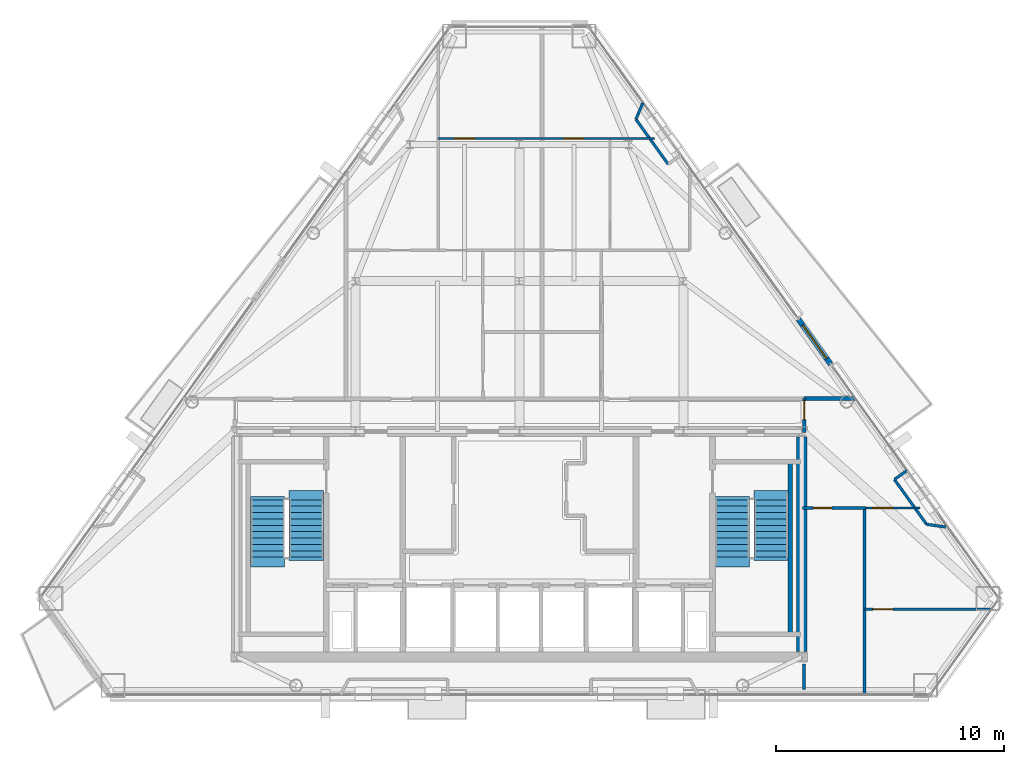
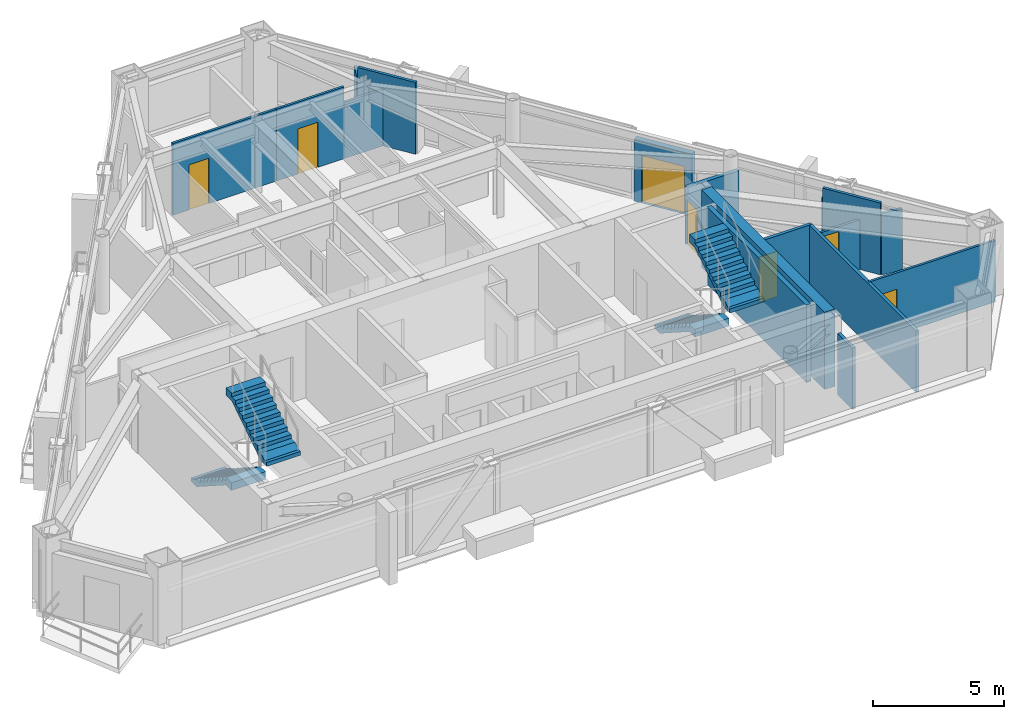
# One storey, part 9 of 11: 18 walls, 7 doors, 4 stair flights, 7 openings, 2 elements without a shape of their own.
"""IFC4 building model written with IfcOpenShell, lengths in metres."""

from ifc_helpers import new_model, si_unit, direction, frame, frame_2d, origin, place, context, subcontext, project, spatial, polyline, rectangle, outline, extrude, material, layer, layer_set, type_object, element, fill, aggregate, save


model = new_model("IFC4")

# Units and contexts
model_context = context("Model", 3, precision=1e-05, world=origin(), true_north=direction((0.0, 1.0)))
body_context = subcontext(model_context, "Body", "Model", "MODEL_VIEW")
ifc_project = project(units=[si_unit("LENGTHUNIT", "METRE"), si_unit("AREAUNIT", "SQUARE_METRE"), si_unit("VOLUMEUNIT", "CUBIC_METRE"), si_unit("PLANEANGLEUNIT", "RADIAN"), si_unit("MASSUNIT", "GRAM", prefix="KILO")], contexts=[model_context])

# Site, building, storey
site_placement = place(None, origin())
site = spatial("IfcSite", under=ifc_project, at=site_placement, CompositionType="ELEMENT")
building_placement = place(site_placement, origin())
building = spatial("IfcBuilding", under=site, at=building_placement, Name="Talgorran Terracotta Tower", CompositionType="ELEMENT")
storey_placement = place(building_placement, frame((0.0, 0.0, 218.10009765625)))
storey = spatial("IfcBuildingStorey", under=building, at=storey_placement, Name="L57", CompositionType="ELEMENT", Elevation=218.10009765625)

# Wall, opening, door
ifc_material_1 = material(Name="Concrete C40/50", Category="concrete")
ifc_layer_1 = layer(ifc_material_1, 0.239990234375, Name="WT_BALCONY_SPAND")
ifc_layer_set_1 = layer_set([ifc_layer_1], Name="Concrete C40/50")
wall_type_1 = type_object("IfcWallType", Name="WT_BALCONY_SPAND", PredefinedType="STANDARD", material=ifc_layer_set_1)
wall_1_placement = place(storey_placement, frame((13.675048828125, -1.251953125, -0.01513671875), z_axis=(0.0, 0.0, 1.0), x_axis=(-0.583139062732, 0.812372349059, 0.0)))
wall_1 = element("IfcWall", 1, at=wall_1_placement, inside=storey, type_object=wall_type_1, Name="WL-L57-BALP-BAL-NE", PredefinedType="STANDARD", context=body_context, shape_type="SweptSolid", body=[
    extrude(rectangle(XDim=2.43994140625, YDim=0.239990234375, at=frame_2d((1.219970703125, 0.0))), origin(), (0.0, 0.0, 1.0), 2.8779296875),
])
opening_1_placement = place(wall_1_placement, frame((0.320068359375, 0.0, 0.014892578125)))
opening_1 = element("IfcOpeningElement", 2, at=opening_1_placement, cuts=wall_1, Name="Opening D-BAL-L57-1", PredefinedType="OPENING", context=body_context, shape_type="SweptSolid", body=[
    extrude(rectangle(XDim=1.806048828125, YDim=2.203951171875, at=frame_2d((0.89990234375, 1.10205078125))), frame((0.0, 0.1298828125, 0.0), z_axis=(0.0, -1.0, 0.0), x_axis=(1.0, 0.0, 0.0)), (0.0, 0.0, 1.0), 0.260009765625),
])
ifc_material_2 = material(Name="Thermally Broken Aluminium", Category="aluminium")
door_type_1 = type_object("IfcDoorType", Name="DT_BALC_1800", OperationType="SLIDING_TO_LEFT", PredefinedType="DOOR", material=ifc_material_2)
door_1_placement = place(opening_1_placement, origin())
door_1 = element("IfcDoor", 3, at=door_1_placement, inside=storey, type_object=door_type_1, Name="DR-L57-BAL-BAL-NE", OperationType="SLIDING_TO_LEFT", OverallHeight=2.199951171875, OverallWidth=1.800048828125, PredefinedType="DOOR", context=body_context, shape_type="SweptSolid", body=[
    extrude(rectangle(XDim=1.800048828125, YDim=2.199951171875, at=frame_2d((0.89990234375, 1.10009765625))), frame((0.0, 0.02490234375, 0.0), z_axis=(0.0, -1.0, 0.0), x_axis=(1.0, 0.0, 0.0)), (0.0, 0.0, 1.0), 0.050048828125),
])
fill(opening_1, door_1)

# Walls
ifc_material_3 = material(Name="Concrete C50/60", Category="concrete")
ifc_layer_2 = layer(ifc_material_3, 0.199951171875, Name="WT_CORE_200")
ifc_layer_set_2 = layer_set([ifc_layer_2], Name="Concrete C50/60")
wall_type_2 = type_object("IfcWallType", Name="WT_CORE_200", PredefinedType="SOLIDWALL", material=ifc_layer_set_2)
wall_2_placement = place(storey_placement, frame((11.89990234375, -13.10009765625, 0.0), z_axis=(0.0, 0.0, 1.0), x_axis=(0.0, 1.0, 0.0)))
element("IfcWall", 4, at=wall_2_placement, inside=storey, type_object=wall_type_2, Name="WL-L57-CW-ST2-E", PredefinedType="SOLIDWALL", context=body_context, shape_type="SweptSolid", body=[
    extrude(rectangle(XDim=7.580078125, YDim=0.199951171875, at=frame_2d((3.7900390625, 0.0))), origin(), (0.0, 0.0, 1.0), 3.599853515625),
])
ifc_material_4 = material(Name="Concrete C65/80", Category="concrete")
ifc_layer_3 = layer(ifc_material_4, 0.449951171875, Name="WT_CORE_EXT")
ifc_layer_set_3 = layer_set([ifc_layer_3], Name="Concrete C65/80")
wall_type_3 = type_object("IfcWallType", Name="WT_CORE_EXT", PredefinedType="SHEAR", material=ifc_layer_set_3)
wall_3_placement = place(storey_placement, frame((12.39990234375, -13.85009765625, 0.0), z_axis=(0.0, 0.0, 1.0), x_axis=(0.0, 1.0, 0.0)))
element("IfcWall", 5, at=wall_3_placement, inside=storey, type_object=wall_type_3, Name="WL-L57-CW-OUT-E", PredefinedType="SHEAR", context=body_context, shape_type="SweptSolid", body=[
    extrude(rectangle(XDim=9.400146484375, YDim=0.449951171875, at=frame_2d((4.7001953125, 0.0))), origin(), (0.0, 0.0, 1.0), 3.599853515625),
])

# Wall, opening, door
ifc_material_5 = material(Name="Fire-Rated Steel Stud Plasterboard", Category="steel")
ifc_layer_4 = layer(ifc_material_5, 0.14990234375, Name="WT_FIRE_150")
ifc_layer_set_4 = layer_set([ifc_layer_4], Name="Fire-Rated Steel Stud Plasterboard")
wall_type_4 = type_object("IfcWallType", Name="WT_FIRE_150", PredefinedType="PARTITIONING", material=ifc_layer_set_4)
wall_4_placement = place(storey_placement, frame((12.5, -4.239990234375, 0.0), z_axis=(0.0, 0.0, 1.0), x_axis=(0.0, 1.0, 0.0)))
wall_4 = element("IfcWall", 6, at=wall_4_placement, inside=storey, type_object=wall_type_4, Name="WL-L57-W-L57-R02", PredefinedType="PARTITIONING", context=body_context, shape_type="SweptSolid", body=[
    extrude(rectangle(XDim=1.47998046875, YDim=0.14990234375, at=frame_2d((0.739990234375, 0.0))), origin(), (0.0, 0.0, 1.0), 2.31982421875),
])
opening_2_placement = place(wall_4_placement, frame((0.56005859375, 0.0, 0.0)))
opening_2 = element("IfcOpeningElement", 7, at=opening_2_placement, cuts=wall_4, Name="Opening DR-L57-R02", PredefinedType="OPENING", context=body_context, shape_type="SweptSolid", body=[
    extrude(rectangle(XDim=0.826068359375, YDim=2.10409765625, at=frame_2d((0.41015625, 1.052001953125))), frame((0.0, 0.0849609375, 0.0), z_axis=(0.0, -1.0, 0.0), x_axis=(1.0, 0.0, 0.0)), (0.0, 0.0, 1.0), 0.169921875),
])
ifc_material_6 = material(Name="Moisture-Resistant Solid Timber", Category="wood")
door_type_2 = type_object("IfcDoorType", Name="DT_INT_820", OperationType="NOTDEFINED", PredefinedType="DOOR", material=ifc_material_6)
door_2_placement = place(opening_2_placement, origin())
door_2 = element("IfcDoor", 8, at=door_2_placement, inside=storey, type_object=door_type_2, Name="DR-L57-R02", OperationType="SINGLE_SWING_RIGHT", OverallHeight=2.10009765625, OverallWidth=0.820068359375, PredefinedType="DOOR", context=body_context, shape_type="SweptSolid", body=[
    extrude(rectangle(XDim=0.820068359375, YDim=2.10009765625, at=frame_2d((0.41015625, 1.050048828125))), frame((0.0, 0.02490234375, 0.0), z_axis=(0.0, -1.0, 0.0), x_axis=(1.0, 0.0, 0.0)), (0.0, 0.0, 1.0), 0.050048828125),
])
fill(opening_2, door_2)

# Wall
ifc_material_7 = material(Name="Acoustic Stud and Plasterboard")
ifc_layer_5 = layer(ifc_material_7, 0.179931640625, Name="WT_PARTY_200")
ifc_layer_set_5 = layer_set([ifc_layer_5], Name="Acoustic Stud and Plasterboard")
wall_type_5 = type_object("IfcWallType", Name="WT_PARTY_200", PredefinedType="PARTITIONING", material=ifc_layer_set_5)
wall_5_placement = place(storey_placement, frame((12.5, -2.760009765625, 0.0), z_axis=(0.0, 0.0, 1.0), x_axis=(1.0, 0.0, 0.0)))
element("IfcWall", 9, at=wall_5_placement, inside=storey, type_object=wall_type_5, Name="WL-L57-W-L57-R11", PredefinedType="PARTITIONING", context=body_context, shape_type="SweptSolid", body=[
    extrude(rectangle(XDim=2.25732421875, YDim=0.179931640625, at=frame_2d((1.128662109375, 0.0))), origin(), (0.0, 0.0, 1.0), 2.619873046875),
])

# Wall, opening, door
ifc_material_8 = material(Name="Lightweight Steel Stud Partition", Category="steel")
ifc_layer_6 = layer(ifc_material_8, 0.10498046875, Name="WT_PART_110")
ifc_layer_set_6 = layer_set([ifc_layer_6], Name="Lightweight Steel Stud Partition")
wall_type_6 = type_object("IfcWallType", Name="WT_PART_110", PredefinedType="PARTITIONING", material=ifc_layer_set_6)
wall_6_placement = place(storey_placement, frame((15.159912109375, -12.0, 0.0), z_axis=(0.0, 0.0, 1.0), x_axis=(1.0, 0.0, 0.0)))
wall_6 = element("IfcWall", 10, at=wall_6_placement, inside=storey, type_object=wall_type_6, Name="WL-L57-W-L57-R14", PredefinedType="PARTITIONING", context=body_context, shape_type="SweptSolid", body=[
    extrude(rectangle(XDim=5.568603515625, YDim=0.10498046875, at=frame_2d((2.7841796875, 0.0))), origin(), (0.0, 0.0, 1.0), 2.86279296875),
])
opening_3_placement = place(wall_6_placement, frame((0.359375, 0.0, 0.0)))
opening_3 = element("IfcOpeningElement", 11, at=opening_3_placement, cuts=wall_6, Name="Opening DR-L57-R04", PredefinedType="OPENING", context=body_context, shape_type="SweptSolid", body=[
    extrude(rectangle(XDim=0.8858828125, YDim=2.10409765625, at=frame_2d((0.43994140625, 1.052001953125))), frame((0.0, 0.0625, 0.0), z_axis=(0.0, -1.0, 0.0), x_axis=(1.0, 0.0, 0.0)), (0.0, 0.0, 1.0), 0.125),
])
ifc_material_9 = material(Name="Solid-Core Painted Timber", Category="wood")
door_type_3 = type_object("IfcDoorType", Name="DT_INT_880", OperationType="NOTDEFINED", PredefinedType="DOOR", material=ifc_material_9)
door_3_placement = place(opening_3_placement, origin())
door_3 = element("IfcDoor", 12, at=door_3_placement, inside=storey, type_object=door_type_3, Name="DR-L57-R04", OperationType="SINGLE_SWING_RIGHT", OverallHeight=2.10009765625, OverallWidth=0.8798828125, PredefinedType="DOOR", context=body_context, shape_type="SweptSolid", body=[
    extrude(rectangle(XDim=0.8798828125, YDim=2.10009765625, at=frame_2d((0.43994140625, 1.050048828125))), frame((0.0, 0.02490234375, 0.0), z_axis=(0.0, -1.0, 0.0), x_axis=(1.0, 0.0, 0.0)), (0.0, 0.0, 1.0), 0.050048828125),
])
fill(opening_3, door_3)

wall_7_placement = place(storey_placement, frame((-3.56005859375, 8.659912109375, 0.0), z_axis=(0.0, 0.0, 1.0), x_axis=(1.0, 0.0, 0.0)))
wall_7 = element("IfcWall", 13, at=wall_7_placement, inside=storey, type_object=wall_type_6, Name="WL-L57-W-L57-R27", PredefinedType="PARTITIONING", context=body_context, shape_type="SweptSolid", body=[
    extrude(rectangle(XDim=4.56005859375, YDim=0.10498046875, at=frame_2d((2.280029296875, 0.0))), origin(), (0.0, 0.0, 1.0), 3.344970703125),
])
opening_4_placement = place(wall_7_placement, frame((0.713134765625, 0.0, 0.0)))
opening_4 = element("IfcOpeningElement", 14, at=opening_4_placement, cuts=wall_7, Name="Opening DR-L57-R11", PredefinedType="OPENING", context=body_context, shape_type="SweptSolid", body=[
    extrude(rectangle(XDim=0.8858828125, YDim=2.10409765625, at=frame_2d((0.43994140625, 1.052001953125))), frame((0.0, 0.0625, 0.0), z_axis=(0.0, -1.0, 0.0), x_axis=(1.0, 0.0, 0.0)), (0.0, 0.0, 1.0), 0.125),
])
door_4_placement = place(opening_4_placement, origin())
door_4 = element("IfcDoor", 15, at=door_4_placement, inside=storey, type_object=door_type_3, Name="DR-L57-R11", OperationType="SINGLE_SWING_LEFT", OverallHeight=2.10009765625, OverallWidth=0.8798828125, PredefinedType="DOOR", context=body_context, shape_type="SweptSolid", body=[
    extrude(rectangle(XDim=0.8798828125, YDim=2.10009765625, at=frame_2d((0.43994140625, 1.050048828125))), frame((0.0, 0.02490234375, 0.0), z_axis=(0.0, -1.0, 0.0), x_axis=(1.0, 0.0, 0.0)), (0.0, 0.0, 1.0), 0.050048828125),
])
fill(opening_4, door_4)

wall_8_placement = place(storey_placement, frame((1.0, 8.659912109375, 0.0), z_axis=(0.0, 0.0, 1.0), x_axis=(1.0, 0.0, 0.0)))
wall_8 = element("IfcWall", 16, at=wall_8_placement, inside=storey, type_object=wall_type_6, Name="WL-L57-W-L57-R38", PredefinedType="PARTITIONING", context=body_context, shape_type="SweptSolid", body=[
    extrude(rectangle(XDim=2.97998046875, YDim=0.10498046875, at=frame_2d((1.489990234375, 0.0))), origin(), (0.0, 0.0, 1.0), 3.344970703125),
])
opening_5_placement = place(wall_8_placement, frame((0.951171875, 0.0, 0.0)))
opening_5 = element("IfcOpeningElement", 17, at=opening_5_placement, cuts=wall_8, Name="Opening DR-L57-R15", PredefinedType="OPENING", context=body_context, shape_type="SweptSolid", body=[
    extrude(rectangle(XDim=0.8858828125, YDim=2.10409765625, at=frame_2d((0.43994140625, 1.052001953125))), frame((0.0, 0.0625, 0.0), z_axis=(0.0, -1.0, 0.0), x_axis=(1.0, 0.0, 0.0)), (0.0, 0.0, 1.0), 0.125),
])
door_5_placement = place(opening_5_placement, origin())
door_5 = element("IfcDoor", 18, at=door_5_placement, inside=storey, type_object=door_type_3, Name="DR-L57-R15", OperationType="SINGLE_SWING_LEFT", OverallHeight=2.10009765625, OverallWidth=0.8798828125, PredefinedType="DOOR", context=body_context, shape_type="SweptSolid", body=[
    extrude(rectangle(XDim=0.8798828125, YDim=2.10009765625, at=frame_2d((0.43994140625, 1.050048828125))), frame((0.0, 0.02490234375, 0.0), z_axis=(0.0, -1.0, 0.0), x_axis=(1.0, 0.0, 0.0)), (0.0, 0.0, 1.0), 0.050048828125),
])
fill(opening_5, door_5)

wall_9_placement = place(storey_placement, frame((15.201904296875, -7.56005859375, 0.0), z_axis=(0.0, 0.0, 1.0), x_axis=(1.0, 0.0, 0.0)))
wall_9 = element("IfcWall", 19, at=wall_9_placement, inside=storey, type_object=wall_type_6, Name="WL-L57-W-L57-R10", PredefinedType="PARTITIONING", context=body_context, shape_type="SweptSolid", body=[
    extrude(rectangle(XDim=2.378173828125, YDim=0.10498046875, at=frame_2d((1.18896484375, 0.0))), origin(), (0.0, 0.0, 1.0), 2.31982421875),
])
opening_6_placement = place(wall_9_placement, frame((0.318115234375, 0.0, 0.0)))
opening_6 = element("IfcOpeningElement", 20, at=opening_6_placement, cuts=wall_9, Name="Opening DR-L57-R17", PredefinedType="OPENING", context=body_context, shape_type="SweptSolid", body=[
    extrude(rectangle(XDim=0.8858828125, YDim=2.10409765625, at=frame_2d((0.43994140625, 1.052001953125))), frame((0.0, 0.0625, 0.0), z_axis=(0.0, -1.0, 0.0), x_axis=(1.0, 0.0, 0.0)), (0.0, 0.0, 1.0), 0.125),
])
door_6_placement = place(opening_6_placement, origin())
door_6 = element("IfcDoor", 21, at=door_6_placement, inside=storey, type_object=door_type_3, Name="DR-L57-R17", OperationType="SINGLE_SWING_LEFT", OverallHeight=2.10009765625, OverallWidth=0.8798828125, PredefinedType="DOOR", context=body_context, shape_type="SweptSolid", body=[
    extrude(rectangle(XDim=0.8798828125, YDim=2.10009765625, at=frame_2d((0.43994140625, 1.050048828125))), frame((0.0, 0.02490234375, 0.0), z_axis=(0.0, -1.0, 0.0), x_axis=(1.0, 0.0, 0.0)), (0.0, 0.0, 1.0), 0.050048828125),
])
fill(opening_6, door_6)

# Walls
wall_10_placement = place(storey_placement, frame((3.97998046875, 8.659912109375, 0.0), z_axis=(0.0, 0.0, 1.0), x_axis=(1.0, 0.0, 0.0)))
element("IfcWall", 22, at=wall_10_placement, inside=storey, type_object=wall_type_6, Name="WL-L57-W-L57-R39", PredefinedType="PARTITIONING", context=body_context, shape_type="SweptSolid", body=[
    extrude(rectangle(XDim=1.9599609375, YDim=0.10498046875, at=frame_2d((0.97998046875, 0.0))), origin(), (0.0, 0.0, 1.0), 2.619873046875),
])
ifc_material_10 = material(Name="Insulated Steel Stud Plasterboard", Category="steel")
ifc_layer_7 = layer(ifc_material_10, 0.1201171875, Name="WT_PART_120")
ifc_layer_set_7 = layer_set([ifc_layer_7], Name="Insulated Steel Stud Plasterboard")
wall_type_7 = type_object("IfcWallType", Name="WT_PART_120", PredefinedType="PARTITIONING", material=ifc_layer_set_7)
for number, where, z_axis, x_axis, name in (
    (23, (6.531494140625, 7.5341796875, 0.0), (0.0, 0.0, 1.0), (-0.583153890419, 0.812361705208, 0.0), "WL-L57-BW-L57-17"),
    (24, (17.878173828125, -8.27392578125, 0.0), (0.0, 0.0, 1.0), (-0.583153890419, 0.812361705208, 0.0), "WL-L57-BW-L57-12"),
):
    element("IfcWall", number, at=place(storey_placement, frame(where, z_axis=z_axis, x_axis=x_axis)), inside=storey, type_object=wall_type_7, Name=name, PredefinedType="PARTITIONING", context=body_context, shape_type="SweptSolid", body=[
        extrude(rectangle(XDim=2.421142578125, YDim=0.1201171875, at=frame_2d((1.21044921875, 0.0))), origin(), (0.0, 0.0, 1.0), 3.344970703125),
    ])
wall_11_placement = place(storey_placement, frame((18.718505859375, -8.3935546875, 0.0), z_axis=(0.0, 0.0, 1.0), x_axis=(-0.990018406644, 0.140938122968, 0.0)))
element("IfcWall", 25, at=wall_11_placement, inside=storey, type_object=wall_type_7, Name="WL-L57-BW-L57-11", PredefinedType="PARTITIONING", context=body_context, shape_type="SweptSolid", body=[
    extrude(rectangle(XDim=0.848876953125, YDim=0.1201171875, at=frame_2d((0.42431640625, 0.0))), origin(), (0.0, 0.0, 1.0), 2.86279296875),
])
wall_12_placement = place(storey_placement, frame((5.11962890625, 9.5009765625, 0.0), z_axis=(0.0, 0.0, 1.0), x_axis=(0.385892538704, 0.922543738027, 0.0)))
element("IfcWall", 26, at=wall_12_placement, inside=storey, type_object=wall_type_7, Name="WL-L57-BW-L57-18", PredefinedType="PARTITIONING", context=body_context, shape_type="SweptSolid", body=[
    extrude(rectangle(XDim=0.787109375, YDim=0.1201171875, at=frame_2d((0.3935546875, 0.0))), origin(), (0.0, 0.0, 1.0), 2.86279296875),
])
wall_13_placement = place(storey_placement, frame((16.46630859375, -6.30712890625, 0.0), z_axis=(0.0, 0.0, 1.0), x_axis=(0.81250073396, 0.582960167863, 0.0)))
element("IfcWall", 27, at=wall_13_placement, inside=storey, type_object=wall_type_7, Name="WL-L57-BW-L57-10", PredefinedType="PARTITIONING", context=body_context, shape_type="SweptSolid", body=[
    extrude(rectangle(XDim=0.670166015625, YDim=0.1201171875, at=frame_2d((0.3349609375, 0.0))), origin(), (0.0, 0.0, 1.0), 2.86279296875),
])
ifc_material_11 = material(Name="Moisture-Resistant Stud Wall")
ifc_layer_8 = layer(ifc_material_11, 0.135009765625, Name="WT_PART_135")
ifc_layer_set_8 = layer_set([ifc_layer_8], Name="Moisture-Resistant Stud Wall")
wall_type_8 = type_object("IfcWallType", Name="WT_PART_135", PredefinedType="PARTITIONING", material=ifc_layer_set_8)
wall_14_placement = place(storey_placement, frame((15.159912109375, -15.752197265625, 0.0), z_axis=(0.0, 0.0, 1.0), x_axis=(0.0, 1.0, 0.0)))
element("IfcWall", 28, at=wall_14_placement, inside=storey, type_object=wall_type_8, Name="WL-L57-W-L57-R13", PredefinedType="PARTITIONING", context=body_context, shape_type="SweptSolid", body=[
    extrude(rectangle(XDim=8.192138671875, YDim=0.135009765625, at=frame_2d((4.09619140625, 0.0))), origin(), (0.0, 0.0, 1.0), 2.86279296875),
])

# Wall, opening, door
wall_15_placement = place(storey_placement, frame((12.43994140625, -7.56005859375, 0.0), z_axis=(0.0, 0.0, 1.0), x_axis=(1.0, 0.0, 0.0)))
wall_15 = element("IfcWall", 29, at=wall_15_placement, inside=storey, type_object=wall_type_8, Name="WL-L57-W-L57-R09", PredefinedType="PARTITIONING", context=body_context, shape_type="SweptSolid", body=[
    extrude(rectangle(XDim=2.760009765625, YDim=0.135009765625, at=frame_2d((1.3798828125, 0.0))), origin(), (0.0, 0.0, 1.0), 2.86279296875),
])
opening_7_placement = place(wall_15_placement, frame((0.457763671875, 0.0, 0.0)))
opening_7 = element("IfcOpeningElement", 30, at=opening_7_placement, cuts=wall_15, Name="Opening DR-L57-R03", PredefinedType="OPENING", context=body_context, shape_type="SweptSolid", body=[
    extrude(rectangle(XDim=0.826068359375, YDim=2.10409765625, at=frame_2d((0.41015625, 1.052001953125))), frame((0.0, 0.07763671875, 0.0), z_axis=(0.0, -1.0, 0.0), x_axis=(1.0, 0.0, 0.0)), (0.0, 0.0, 1.0), 0.155029296875),
])
door_7_placement = place(opening_7_placement, origin())
door_7 = element("IfcDoor", 31, at=door_7_placement, inside=storey, type_object=door_type_2, Name="DR-L57-R03", OperationType="SINGLE_SWING_LEFT", OverallHeight=2.10009765625, OverallWidth=0.820068359375, PredefinedType="DOOR", context=body_context, shape_type="SweptSolid", body=[
    extrude(rectangle(XDim=0.820068359375, YDim=2.10009765625, at=frame_2d((0.41015625, 1.050048828125))), frame((0.0, 0.02490234375, 0.0), z_axis=(0.0, -1.0, 0.0), x_axis=(1.0, 0.0, 0.0)), (0.0, 0.0, 1.0), 0.050048828125),
])
fill(opening_7, door_7)

# Wall
wall_16_placement = place(storey_placement, frame((12.5, -15.5322265625, 0.0), z_axis=(0.0, 0.0, 1.0), x_axis=(0.0, 1.0, 0.0)))
element("IfcWall", 32, at=wall_16_placement, inside=storey, type_object=wall_type_8, Name="WL-L57-W-L57-R40", PredefinedType="PARTITIONING", context=body_context, shape_type="SweptSolid", body=[
    extrude(rectangle(XDim=1.13232421875, YDim=0.135009765625, at=frame_2d((0.566162109375, 0.0))), origin(), (0.0, 0.0, 1.0), 2.86279296875),
])

# Stair, stair flights
stair_type = type_object("IfcStairType", Name="ST_FIRE_SCISSOR", PredefinedType="HALF_TURN_STAIR", material=ifc_material_1)
stair_1_placement = place(storey_placement, origin())
stair_1 = element("IfcStair", 33, at=stair_1_placement, inside=storey, type_object=stair_type, Name="L57 West Protected Fire Stair ST-01", PredefinedType="HALF_TURN_STAIR")
ifc_layer_9 = layer(ifc_material_1, 0.179931640625, Name="STF_RC_1500")
ifc_layer_set_9 = layer_set([ifc_layer_9], Name="Concrete C40/50")
stair_flight_type = type_object("IfcStairFlightType", Name="STF_RC_1500", PredefinedType="STRAIGHT", material=ifc_layer_set_9)
stair_flight_1_placement = place(storey_placement, frame((-11.050048828125, -7.199951171875, 0.0), z_axis=(0.0, 0.0, 1.0), x_axis=(0.0, -1.0, 0.0)))
stair_flight_1 = element("IfcStairFlight", 34, at=stair_flight_1_placement, type_object=stair_flight_type, Name="ST-01 flight 1", NumberOfRisers=10, NumberOfTreads=9, PredefinedType="STRAIGHT", RiserHeight=0.18, TreadLength=0.28, context=body_context, shape_type="SweptSolid", body=[
    extrude(outline(polyline([(-0.139892578125, 0.0), (-0.139892578125, 0.179931640625), (0.0, 0.179931640625), (0.280029296875, 0.360107421875), (0.56005859375, 0.360107421875), (0.56005859375, 0.5400390625), (0.840087890625, 0.5400390625), (0.840087890625, 0.719970703125), (1.1201171875, 0.719970703125), (1.1201171875, 0.89990234375), (1.39990234375, 0.89990234375), (1.39990234375, 1.080078125), (1.679931640625, 1.080078125), (1.679931640625, 1.260009765625), (1.9599609375, 1.260009765625), (1.9599609375, 1.43994140625), (2.239990234375, 1.43994140625), (2.239990234375, 1.6201171875), (2.52001953125, 1.6201171875), (2.52001953125, 1.800048828125), (2.93994140625, 1.800048828125), (2.93994140625, 1.44189453125), (2.52001953125, 1.44189453125), (0.277099609375, 0.0), (-0.139892578125, 0.0)])), frame((0.0, 0.75, 0.0), z_axis=(0.0, -1.0, 0.0), x_axis=(1.0, 0.0, 0.0)), (0.0, 0.0, 1.0), 1.5),
])
stair_flight_2_placement = place(storey_placement, frame((-9.35009765625, -9.719970703125, 1.7998046875), z_axis=(0.0, 0.0, 1.0), x_axis=(0.0, 1.0, 0.0)))
stair_flight_2 = element("IfcStairFlight", 35, at=stair_flight_2_placement, type_object=stair_flight_type, Name="ST-01 flight 2", NumberOfRisers=10, NumberOfTreads=9, PredefinedType="STRAIGHT", RiserHeight=0.18, TreadLength=0.28, context=body_context, shape_type="SweptSolid", body=[
    extrude(outline(polyline([(-0.139892578125, 0.0), (-0.139892578125, 0.179931640625), (0.0, 0.179931640625), (0.280029296875, 0.360107421875), (0.56005859375, 0.360107421875), (0.56005859375, 0.5400390625), (0.840087890625, 0.5400390625), (0.840087890625, 0.719970703125), (1.1201171875, 0.719970703125), (1.1201171875, 0.89990234375), (1.39990234375, 0.89990234375), (1.39990234375, 1.080078125), (1.679931640625, 1.080078125), (1.679931640625, 1.260009765625), (1.9599609375, 1.260009765625), (1.9599609375, 1.43994140625), (2.239990234375, 1.43994140625), (2.239990234375, 1.6201171875), (2.52001953125, 1.6201171875), (2.52001953125, 1.800048828125), (2.93994140625, 1.800048828125), (2.93994140625, 1.44189453125), (2.52001953125, 1.44189453125), (0.277099609375, 0.0), (-0.139892578125, 0.0)])), frame((0.0, 0.75, 0.0), z_axis=(0.0, -1.0, 0.0), x_axis=(1.0, 0.0, 0.0)), (0.0, 0.0, 1.0), 1.5),
])
aggregate(stair_1, [stair_flight_1, stair_flight_2])

stair_2_placement = place(storey_placement, origin())
stair_2 = element("IfcStair", 36, at=stair_2_placement, inside=storey, type_object=stair_type, Name="L57 East Protected Fire Stair ST-02", PredefinedType="HALF_TURN_STAIR")
stair_flight_3_placement = place(storey_placement, frame((9.35009765625, -7.199951171875, 0.0), z_axis=(0.0, 0.0, 1.0), x_axis=(0.0, -1.0, 0.0)))
stair_flight_3 = element("IfcStairFlight", 37, at=stair_flight_3_placement, type_object=stair_flight_type, Name="ST-02 flight 1", NumberOfRisers=10, NumberOfTreads=9, PredefinedType="STRAIGHT", RiserHeight=0.18, TreadLength=0.28, context=body_context, shape_type="SweptSolid", body=[
    extrude(outline(polyline([(-0.139892578125, 0.0), (-0.139892578125, 0.179931640625), (0.0, 0.179931640625), (0.280029296875, 0.360107421875), (0.56005859375, 0.360107421875), (0.56005859375, 0.5400390625), (0.840087890625, 0.5400390625), (0.840087890625, 0.719970703125), (1.1201171875, 0.719970703125), (1.1201171875, 0.89990234375), (1.39990234375, 0.89990234375), (1.39990234375, 1.080078125), (1.679931640625, 1.080078125), (1.679931640625, 1.260009765625), (1.9599609375, 1.260009765625), (1.9599609375, 1.43994140625), (2.239990234375, 1.43994140625), (2.239990234375, 1.6201171875), (2.52001953125, 1.6201171875), (2.52001953125, 1.800048828125), (2.93994140625, 1.800048828125), (2.93994140625, 1.44189453125), (2.52001953125, 1.44189453125), (0.277099609375, 0.0), (-0.139892578125, 0.0)])), frame((0.0, 0.75, 0.0), z_axis=(0.0, -1.0, 0.0), x_axis=(1.0, 0.0, 0.0)), (0.0, 0.0, 1.0), 1.5),
])
stair_flight_4_placement = place(storey_placement, frame((11.050048828125, -9.719970703125, 1.7998046875), z_axis=(0.0, 0.0, 1.0), x_axis=(0.0, 1.0, 0.0)))
stair_flight_4 = element("IfcStairFlight", 38, at=stair_flight_4_placement, type_object=stair_flight_type, Name="ST-02 flight 2", NumberOfRisers=10, NumberOfTreads=9, PredefinedType="STRAIGHT", RiserHeight=0.18, TreadLength=0.28, context=body_context, shape_type="SweptSolid", body=[
    extrude(outline(polyline([(-0.139892578125, 0.0), (-0.139892578125, 0.179931640625), (0.0, 0.179931640625), (0.280029296875, 0.360107421875), (0.56005859375, 0.360107421875), (0.56005859375, 0.5400390625), (0.840087890625, 0.5400390625), (0.840087890625, 0.719970703125), (1.1201171875, 0.719970703125), (1.1201171875, 0.89990234375), (1.39990234375, 0.89990234375), (1.39990234375, 1.080078125), (1.679931640625, 1.080078125), (1.679931640625, 1.260009765625), (1.9599609375, 1.260009765625), (1.9599609375, 1.43994140625), (2.239990234375, 1.43994140625), (2.239990234375, 1.6201171875), (2.52001953125, 1.6201171875), (2.52001953125, 1.800048828125), (2.93994140625, 1.800048828125), (2.93994140625, 1.44189453125), (2.52001953125, 1.44189453125), (0.277099609375, 0.0), (-0.139892578125, 0.0)])), frame((0.0, 0.75, 0.0), z_axis=(0.0, -1.0, 0.0), x_axis=(1.0, 0.0, 0.0)), (0.0, 0.0, 1.0), 1.5),
])
aggregate(stair_2, [stair_flight_3, stair_flight_4])

save(model, "model.ifc")
